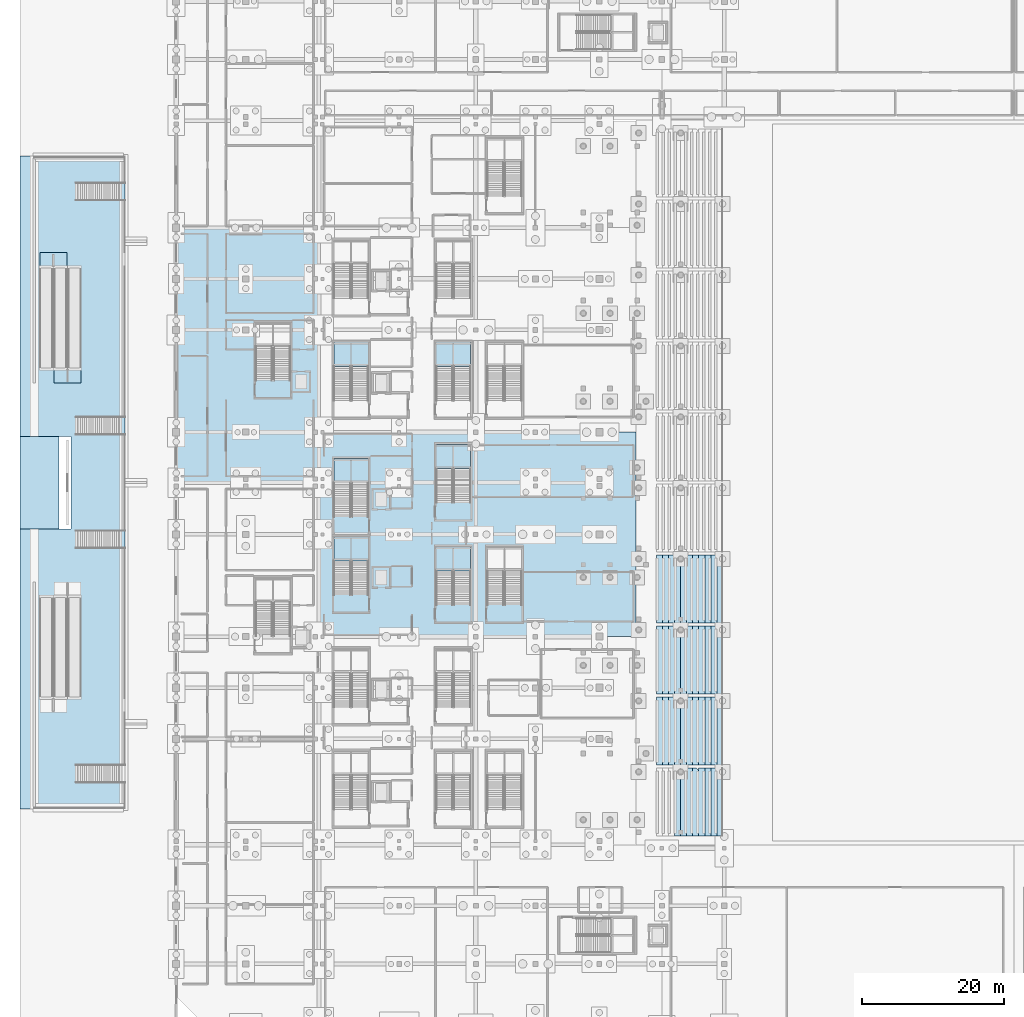
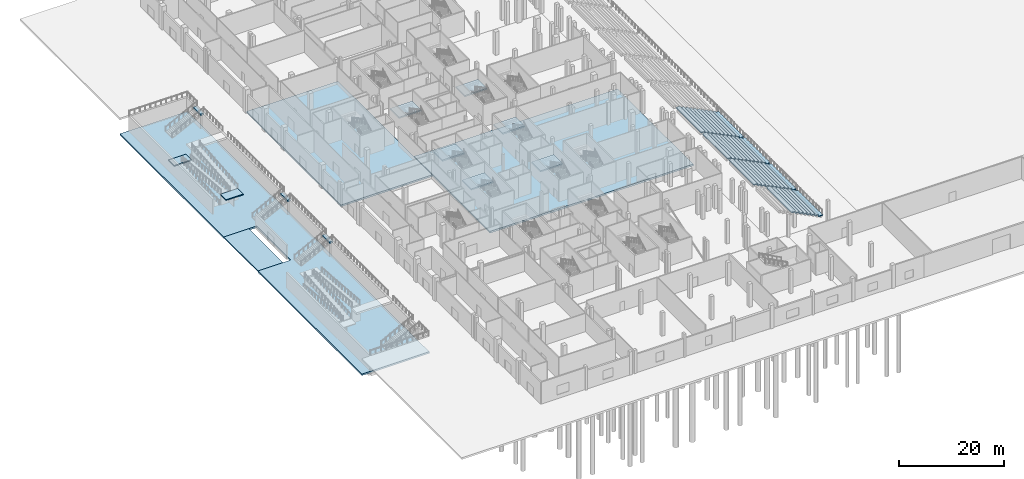
# One storey, part 23 of 89: 56 slabs, 8 elements without a shape of their own.
"""IFC4 building model written with IfcOpenShell, lengths in metres."""

from ifc_helpers import new_model, si_unit, direction, frame, origin, place, context, subcontext, project, spatial, polyline, outline, extrude, material, layer, layer_set, type_object, element, aggregate, save


model = new_model("IFC4")

# Units and contexts
model_context = context("Model", 3, precision=1e-05, world=origin(), true_north=direction((0.0, 1.0)))
body_context = subcontext(model_context, "Body", "Model", "MODEL_VIEW")
ifc_project = project(units=[si_unit("LENGTHUNIT", "METRE"), si_unit("AREAUNIT", "SQUARE_METRE"), si_unit("VOLUMEUNIT", "CUBIC_METRE"), si_unit("PLANEANGLEUNIT", "RADIAN"), si_unit("MASSUNIT", "GRAM", prefix="KILO")], contexts=[model_context])

# Site, building, storey
site_placement = place(None, origin())
site = spatial("IfcSite", under=ifc_project, at=site_placement, CompositionType="ELEMENT")
building_placement = place(site_placement, origin())
building = spatial("IfcBuilding", under=site, at=building_placement, Name="Koshinbarg Plaza Stadium", CompositionType="ELEMENT")
storey_placement = place(building_placement, origin())
storey = spatial("IfcBuildingStorey", under=building, at=storey_placement, Name="L00", CompositionType="ELEMENT", Elevation=0.0)

# Slabs
ifc_material_1 = material(Name="Concrete C35/45", Category="concrete")
ifc_layer_1 = layer(ifc_material_1, 0.39990234375)
ifc_layer_set_1 = layer_set([ifc_layer_1], Name="Concrete C35/45")
slab_type_1 = type_object("IfcSlabType", Name="SL-BASE-400", PredefinedType="BASESLAB", material=ifc_layer_set_1)
slab_1_placement = place(storey_placement, frame((0.0, 0.0, -0.39990234375)))
element("IfcSlab", 1, at=slab_1_placement, inside=storey, type_object=slab_type_1, Name="L00 V5 structural slab 19", PredefinedType="BASESLAB", context=body_context, shape_type="SweptSolid", body=[
    extrude(outline(polyline([(4.0, 76.044921875), (24.054931640625, 76.044921875), (24.054931640625, 111.89990234375), (4.0, 111.89990234375), (4.0, 76.044921875)])), origin(), (0.0, 0.0, 1.0), 0.39990234375),
])
slab_2_placement = place(storey_placement, frame((0.0, 0.0, -0.530029296875)))
element("IfcSlab", 2, at=slab_2_placement, inside=storey, type_object=slab_type_1, Name="ST-FC-02 arrival threshold slab", PredefinedType="BASESLAB", context=body_context, shape_type="SweptSolid", body=[
    extrude(outline(polyline([(-3.949951171875, 66.64990234375), (-3.219970703125, 66.64990234375), (-3.219970703125, 69.35009765625), (-3.949951171875, 69.35009765625), (-3.949951171875, 66.64990234375)])), origin(), (0.0, 0.0, 1.0), 0.400146484375),
])
slab_3_placement = place(storey_placement, frame((0.0, 0.0, -0.530029296875)))
element("IfcSlab", 3, at=slab_3_placement, inside=storey, type_object=slab_type_1, Name="ST-FC-03 arrival threshold slab", PredefinedType="BASESLAB", context=body_context, shape_type="SweptSolid", body=[
    extrude(outline(polyline([(-3.949951171875, 82.64990234375), (-3.219970703125, 82.64990234375), (-3.219970703125, 85.35009765625), (-3.949951171875, 85.35009765625), (-3.949951171875, 82.64990234375)])), origin(), (0.0, 0.0, 1.0), 0.400146484375),
])
slab_4_placement = place(storey_placement, frame((0.0, 0.0, -0.530029296875)))
element("IfcSlab", 4, at=slab_4_placement, inside=storey, type_object=slab_type_1, Name="ST-FC-04 arrival threshold slab", PredefinedType="BASESLAB", context=body_context, shape_type="SweptSolid", body=[
    extrude(outline(polyline([(-3.949951171875, 115.64990234375), (-3.219970703125, 115.64990234375), (-3.219970703125, 118.35009765625), (-3.949951171875, 118.35009765625), (-3.949951171875, 115.64990234375)])), origin(), (0.0, 0.0, 1.0), 0.400146484375),
])
ifc_layer_2 = layer(ifc_material_1, 0.449951171875)
ifc_layer_set_2 = layer_set([ifc_layer_2], Name="Concrete C35/45")
slab_type_2 = type_object("IfcSlabType", Name="SL-BASE-450", PredefinedType="BASESLAB", material=ifc_layer_set_2)
slab_5_placement = place(storey_placement, frame((0.0, 0.0, -0.39990234375)))
element("IfcSlab", 5, at=slab_5_placement, inside=storey, type_object=slab_type_2, Name="L00 V1 structural slab 2", PredefinedType="BASESLAB", context=body_context, shape_type="SweptSolid", body=[
    extrude(outline(polyline([(24.14501953125, 54.300048828125), (68.800048828125, 54.300048828125), (68.800048828125, 83.10009765625), (24.14501953125, 83.10009765625), (24.14501953125, 54.300048828125)])), origin(), (0.0, 0.0, 1.0), 0.39990234375),
])
ifc_layer_3 = layer(ifc_material_1, 0.3798828125)
ifc_layer_set_3 = layer_set([ifc_layer_3], Name="Concrete C35/45")
slab_type_3 = type_object("IfcSlabType", Name="SL-EXTBASE-380", PredefinedType="BASESLAB", material=ifc_layer_set_3)
slab_6_placement = place(storey_placement, frame((0.0, 0.0, -3.97998046875)))
element("IfcSlab", 6, at=slab_6_placement, inside=storey, type_object=slab_type_3, Name="Sunken metro forecourt structural base slab", PredefinedType="BASESLAB", context=body_context, shape_type="SweptSolid", body=[
    extrude(outline(polyline([(-18.0, 30.0), (-3.199951171875, 30.0), (-3.199951171875, 122.0), (-18.0, 122.0), (-18.0, 82.5), (-10.800048828125, 82.5), (-10.800048828125, 69.5), (-18.0, 69.5), (-18.0, 30.0)])), origin(), (0.0, 0.0, 1.0), 0.3798828125),
])
ifc_material_2 = material(Name="Basalt stone plaza paving", Category="masonry")
ifc_layer_4 = layer(ifc_material_2, 0.25)
ifc_layer_set_4 = layer_set([ifc_layer_4], Name="Basalt stone plaza paving")
slab_type_4 = type_object("IfcSlabType", Name="SL-PAVING-250", PredefinedType="FLOOR", material=ifc_layer_set_4)
slab_7_placement = place(storey_placement, frame((0.0, 0.0, -3.85009765625)))
element("IfcSlab", 7, at=slab_7_placement, inside=storey, type_object=slab_type_4, Name="Metro concourse threshold plaza slab", PredefinedType="FLOOR", context=body_context, shape_type="SweptSolid", body=[
    extrude(outline(polyline([(-18.0, 69.5), (-12.52001953125, 69.5), (-12.52001953125, 82.5), (-18.0, 82.5), (-18.0, 69.5)])), origin(), (0.0, 0.0, 1.0), 0.25),
])

# Ramp, slab
ramp_type = type_object("IfcRampType", Name="RMP-FORECOURT", PredefinedType="STRAIGHT_RUN_RAMP", material=ifc_material_1)
ramp_1_placement = place(storey_placement, origin())
ramp_1 = element("IfcRamp", 8, at=ramp_1_placement, inside=storey, type_object=ramp_type, Name="Metro forecourt accessible pedestrian ramp RMP-FC-N1", PredefinedType="STRAIGHT_RUN_RAMP")
ifc_layer_5 = layer(ifc_material_1, 0.219970703125)
ifc_layer_set_5 = layer_set([ifc_layer_5], Name="Concrete C35/45")
slab_type_5 = type_object("IfcSlabType", Name="SL-RMPLAND-220", PredefinedType="LANDING", material=ifc_layer_set_5)
slab_8_placement = place(storey_placement, frame((0.0, 0.0, -2.6201171875)))
slab_8 = element("IfcSlab", 9, at=slab_8_placement, type_object=slab_type_5, Name="RMP-FC-N1 level landing", PredefinedType="LANDING", context=body_context, shape_type="SweptSolid", body=[
    extrude(outline(polyline([(-15.199951171875, 106.25), (-11.39990234375, 106.25), (-11.39990234375, 108.39990234375), (-15.199951171875, 108.39990234375), (-15.199951171875, 106.25)])), origin(), (0.0, 0.0, 1.0), 0.22021484375),
])
aggregate(ramp_1, [slab_8])

ramp_2_placement = place(storey_placement, origin())
ramp_2 = element("IfcRamp", 10, at=ramp_2_placement, inside=storey, type_object=ramp_type, Name="Metro forecourt accessible pedestrian ramp RMP-FC-N2", PredefinedType="STRAIGHT_RUN_RAMP")
slab_9_placement = place(storey_placement, frame((0.0, 0.0, -1.419921875)))
slab_9 = element("IfcSlab", 11, at=slab_9_placement, type_object=slab_type_5, Name="RMP-FC-N2 level landing", PredefinedType="LANDING", context=body_context, shape_type="SweptSolid", body=[
    extrude(outline(polyline([(-13.199951171875, 90.0), (-9.39990234375, 90.0), (-9.39990234375, 92.14990234375), (-13.199951171875, 92.14990234375), (-13.199951171875, 90.0)])), origin(), (0.0, 0.0, 1.0), 0.219970703125),
])
aggregate(ramp_2, [slab_9])

# Stair, slab
stair_type_1 = type_object("IfcStairType", Name="ST-CORE-54", PredefinedType="HALF_TURN_STAIR", material=ifc_material_1)
stair_1_placement = place(storey_placement, origin())
stair_1 = element("IfcStair", 12, at=stair_1_placement, inside=storey, type_object=stair_type_1, Name="L00 Protected Exit Stair C03", PredefinedType="HALF_TURN_STAIR")
ifc_layer_6 = layer(ifc_material_1, 0.320068359375)
ifc_layer_set_6 = layer_set([ifc_layer_6], Name="Concrete C35/45")
slab_type_6 = type_object("IfcSlabType", Name="SL-STLAND-280", PredefinedType="LANDING", material=ifc_layer_set_6)
slab_10_placement = place(storey_placement, frame((0.0, 0.0, 2.3798828125)))
slab_10 = element("IfcSlab", 13, at=slab_10_placement, type_object=slab_type_6, Name="L00 Protected Exit Stair C03 landing 013", PredefinedType="LANDING", context=body_context, shape_type="SweptSolid", body=[
    extrude(outline(polyline([(31.070068359375, 64.9599609375), (31.070068359375, 68.39990234375), (26.199951171875, 68.39990234375), (26.199951171875, 64.9599609375), (31.070068359375, 64.9599609375)])), origin(), (0.0, 0.0, 1.0), 0.320068359375),
])
aggregate(stair_1, [slab_10])

stair_2_placement = place(storey_placement, origin())
stair_2 = element("IfcStair", 14, at=stair_2_placement, inside=storey, type_object=stair_type_1, Name="L00 Protected Exit Stair C04", PredefinedType="HALF_TURN_STAIR")
slab_11_placement = place(storey_placement, frame((0.0, 0.0, 2.3798828125)))
slab_11 = element("IfcSlab", 15, at=slab_11_placement, type_object=slab_type_6, Name="L00 Protected Exit Stair C04 landing 019", PredefinedType="LANDING", context=body_context, shape_type="SweptSolid", body=[
    extrude(outline(polyline([(31.070068359375, 75.9599609375), (31.070068359375, 79.39990234375), (26.199951171875, 79.39990234375), (26.199951171875, 75.9599609375), (31.070068359375, 75.9599609375)])), origin(), (0.0, 0.0, 1.0), 0.320068359375),
])
aggregate(stair_2, [slab_11])

stair_3_placement = place(storey_placement, origin())
stair_3 = element("IfcStair", 16, at=stair_3_placement, inside=storey, type_object=stair_type_1, Name="L00 Protected Exit Stair C05", PredefinedType="HALF_TURN_STAIR")
slab_12_placement = place(storey_placement, frame((0.0, 0.0, 2.3798828125)))
slab_12 = element("IfcSlab", 17, at=slab_12_placement, type_object=slab_type_6, Name="L00 Protected Exit Stair C05 landing 025", PredefinedType="LANDING", context=body_context, shape_type="SweptSolid", body=[
    extrude(outline(polyline([(31.070068359375, 92.360107421875), (31.070068359375, 95.800048828125), (26.199951171875, 95.800048828125), (26.199951171875, 92.360107421875), (31.070068359375, 92.360107421875)])), origin(), (0.0, 0.0, 1.0), 0.320068359375),
])
aggregate(stair_3, [slab_12])

stair_type_2 = type_object("IfcStairType", Name="ST-VOM-54", PredefinedType="HALF_TURN_STAIR", material=ifc_material_1)
stair_4_placement = place(storey_placement, origin())
stair_4 = element("IfcStair", 18, at=stair_4_placement, inside=storey, type_object=stair_type_2, Name="L00 Upper Vomitory Stair VX03", PredefinedType="HALF_TURN_STAIR")
slab_13_placement = place(storey_placement, frame((0.0, 0.0, 2.3798828125)))
slab_13 = element("IfcSlab", 19, at=slab_13_placement, type_object=slab_type_6, Name="L00 Upper Vomitory Stair VX03 landing 081", PredefinedType="LANDING", context=body_context, shape_type="SweptSolid", body=[
    extrude(outline(polyline([(45.469970703125, 63.56005859375), (45.469970703125, 67.0), (40.60009765625, 67.0), (40.60009765625, 63.56005859375), (45.469970703125, 63.56005859375)])), origin(), (0.0, 0.0, 1.0), 0.320068359375),
])
aggregate(stair_4, [slab_13])

stair_5_placement = place(storey_placement, origin())
stair_5 = element("IfcStair", 20, at=stair_5_placement, inside=storey, type_object=stair_type_2, Name="L00 Upper Vomitory Stair VX04", PredefinedType="HALF_TURN_STAIR")
slab_14_placement = place(storey_placement, frame((0.0, 0.0, 2.3798828125)))
slab_14 = element("IfcSlab", 21, at=slab_14_placement, type_object=slab_type_6, Name="L00 Upper Vomitory Stair VX04 landing 084", PredefinedType="LANDING", context=body_context, shape_type="SweptSolid", body=[
    extrude(outline(polyline([(45.469970703125, 77.9599609375), (45.469970703125, 81.39990234375), (40.60009765625, 81.39990234375), (40.60009765625, 77.9599609375), (45.469970703125, 77.9599609375)])), origin(), (0.0, 0.0, 1.0), 0.320068359375),
])
aggregate(stair_5, [slab_14])

stair_6_placement = place(storey_placement, origin())
stair_6 = element("IfcStair", 22, at=stair_6_placement, inside=storey, type_object=stair_type_2, Name="L00 Upper Vomitory Stair VX05", PredefinedType="HALF_TURN_STAIR")
slab_15_placement = place(storey_placement, frame((0.0, 0.0, 2.3798828125)))
slab_15 = element("IfcSlab", 23, at=slab_15_placement, type_object=slab_type_6, Name="L00 Upper Vomitory Stair VX05 landing 087", PredefinedType="LANDING", context=body_context, shape_type="SweptSolid", body=[
    extrude(outline(polyline([(45.469970703125, 92.360107421875), (45.469970703125, 95.800048828125), (40.60009765625, 95.800048828125), (40.60009765625, 92.360107421875), (45.469970703125, 92.360107421875)])), origin(), (0.0, 0.0, 1.0), 0.320068359375),
])
aggregate(stair_6, [slab_15])

# Slabs
ifc_material_3 = material(Name="Precast concrete C40/50", Category="concrete")
ifc_layer_7 = layer(ifc_material_3, 0.219970703125)
ifc_layer_set_7 = layer_set([ifc_layer_7], Name="Precast concrete C40/50")
slab_type_7 = type_object("IfcSlabType", Name="SL-TIER-LT", PredefinedType="USERDEFINED", material=ifc_layer_set_7)
slab_16_placement = place(storey_placement, frame((0.0, 0.0, 0.800048828125)))
element("IfcSlab", 24, at=slab_16_placement, inside=storey, type_object=slab_type_7, Name="Stand lower seating tier LT-W01 row 1", ObjectType="SEATING TIER", PredefinedType="USERDEFINED", context=body_context, shape_type="SweptSolid", body=[
    extrude(outline(polyline([(80.14990234375, 26.199951171875), (81.0, 26.199951171875), (81.0, 35.449951171875), (80.64990234375, 35.800048828125), (80.14990234375, 35.800048828125), (80.14990234375, 26.199951171875)])), origin(), (0.0, 0.0, 1.0), 0.219970703125),
])
slab_17_placement = place(storey_placement, frame((0.0, 0.0, 1.219970703125)))
element("IfcSlab", 25, at=slab_17_placement, inside=storey, type_object=slab_type_7, Name="Stand lower seating tier LT-W01 row 2", ObjectType="SEATING TIER", PredefinedType="USERDEFINED", context=body_context, shape_type="SweptSolid", body=[
    extrude(outline(polyline([(79.300048828125, 26.199951171875), (80.14990234375, 26.199951171875), (80.14990234375, 35.800048828125), (79.300048828125, 35.800048828125), (79.300048828125, 26.199951171875)])), origin(), (0.0, 0.0, 1.0), 0.219970703125),
])
slab_18_placement = place(storey_placement, frame((0.0, 0.0, 1.639892578125)))
element("IfcSlab", 26, at=slab_18_placement, inside=storey, type_object=slab_type_7, Name="Stand lower seating tier LT-W01 row 3", ObjectType="SEATING TIER", PredefinedType="USERDEFINED", context=body_context, shape_type="SweptSolid", body=[
    extrude(outline(polyline([(78.449951171875, 26.199951171875), (79.300048828125, 26.199951171875), (79.300048828125, 35.800048828125), (78.449951171875, 35.800048828125), (78.449951171875, 26.199951171875)])), origin(), (0.0, 0.0, 1.0), 0.22021484375),
])
slab_19_placement = place(storey_placement, frame((0.0, 0.0, 2.06005859375)))
element("IfcSlab", 27, at=slab_19_placement, inside=storey, type_object=slab_type_7, Name="Stand lower seating tier LT-W01 row 4", ObjectType="SEATING TIER", PredefinedType="USERDEFINED", context=body_context, shape_type="SweptSolid", body=[
    extrude(outline(polyline([(77.60009765625, 26.199951171875), (78.449951171875, 26.199951171875), (78.449951171875, 35.800048828125), (77.60009765625, 35.800048828125), (77.60009765625, 26.199951171875)])), origin(), (0.0, 0.0, 1.0), 0.219970703125),
])
slab_20_placement = place(storey_placement, frame((0.0, 0.0, 2.47998046875)))
element("IfcSlab", 28, at=slab_20_placement, inside=storey, type_object=slab_type_7, Name="Stand lower seating tier LT-W01 row 5", ObjectType="SEATING TIER", PredefinedType="USERDEFINED", context=body_context, shape_type="SweptSolid", body=[
    extrude(outline(polyline([(76.75, 26.199951171875), (77.60009765625, 26.199951171875), (77.60009765625, 35.449951171875), (77.25, 35.800048828125), (76.75, 35.800048828125), (76.75, 26.199951171875)])), origin(), (0.0, 0.0, 1.0), 0.219970703125),
])
slab_21_placement = place(storey_placement, frame((0.0, 0.0, 2.89990234375)))
element("IfcSlab", 29, at=slab_21_placement, inside=storey, type_object=slab_type_7, Name="Stand lower seating tier LT-W01 row 6", ObjectType="SEATING TIER", PredefinedType="USERDEFINED", context=body_context, shape_type="SweptSolid", body=[
    extrude(outline(polyline([(75.89990234375, 26.199951171875), (76.75, 26.199951171875), (76.75, 35.800048828125), (75.89990234375, 35.800048828125), (75.89990234375, 26.199951171875)])), origin(), (0.0, 0.0, 1.0), 0.22021484375),
])
slab_22_placement = place(storey_placement, frame((0.0, 0.0, 3.320068359375)))
element("IfcSlab", 30, at=slab_22_placement, inside=storey, type_object=slab_type_7, Name="Stand lower seating tier LT-W01 row 7", ObjectType="SEATING TIER", PredefinedType="USERDEFINED", context=body_context, shape_type="SweptSolid", body=[
    extrude(outline(polyline([(75.050048828125, 26.199951171875), (75.89990234375, 26.199951171875), (75.89990234375, 35.800048828125), (75.050048828125, 35.800048828125), (75.050048828125, 26.199951171875)])), origin(), (0.0, 0.0, 1.0), 0.219970703125),
])
slab_23_placement = place(storey_placement, frame((0.0, 0.0, 3.739990234375)))
element("IfcSlab", 31, at=slab_23_placement, inside=storey, type_object=slab_type_7, Name="Stand lower seating tier LT-W01 row 8", ObjectType="SEATING TIER", PredefinedType="USERDEFINED", context=body_context, shape_type="SweptSolid", body=[
    extrude(outline(polyline([(74.199951171875, 26.199951171875), (75.050048828125, 26.199951171875), (75.050048828125, 35.800048828125), (74.199951171875, 35.800048828125), (74.199951171875, 26.199951171875)])), origin(), (0.0, 0.0, 1.0), 0.219970703125),
])
slab_24_placement = place(storey_placement, frame((0.0, 0.0, 0.800048828125)))
element("IfcSlab", 32, at=slab_24_placement, inside=storey, type_object=slab_type_7, Name="Stand lower seating tier LT-W02 row 1", ObjectType="SEATING TIER", PredefinedType="USERDEFINED", context=body_context, shape_type="SweptSolid", body=[
    extrude(outline(polyline([(80.14990234375, 36.199951171875), (81.0, 36.199951171875), (81.0, 45.800048828125), (80.14990234375, 45.800048828125), (80.14990234375, 36.199951171875)])), origin(), (0.0, 0.0, 1.0), 0.219970703125),
])
slab_25_placement = place(storey_placement, frame((0.0, 0.0, 1.219970703125)))
element("IfcSlab", 33, at=slab_25_placement, inside=storey, type_object=slab_type_7, Name="Stand lower seating tier LT-W02 row 2", ObjectType="SEATING TIER", PredefinedType="USERDEFINED", context=body_context, shape_type="SweptSolid", body=[
    extrude(outline(polyline([(79.300048828125, 36.199951171875), (80.14990234375, 36.199951171875), (80.14990234375, 45.800048828125), (79.300048828125, 45.800048828125), (79.300048828125, 36.199951171875)])), origin(), (0.0, 0.0, 1.0), 0.219970703125),
])
slab_26_placement = place(storey_placement, frame((0.0, 0.0, 1.639892578125)))
element("IfcSlab", 34, at=slab_26_placement, inside=storey, type_object=slab_type_7, Name="Stand lower seating tier LT-W02 row 3", ObjectType="SEATING TIER", PredefinedType="USERDEFINED", context=body_context, shape_type="SweptSolid", body=[
    extrude(outline(polyline([(78.449951171875, 36.199951171875), (79.300048828125, 36.199951171875), (79.300048828125, 45.800048828125), (78.449951171875, 45.800048828125), (78.449951171875, 36.199951171875)])), origin(), (0.0, 0.0, 1.0), 0.22021484375),
])
slab_27_placement = place(storey_placement, frame((0.0, 0.0, 2.06005859375)))
element("IfcSlab", 35, at=slab_27_placement, inside=storey, type_object=slab_type_7, Name="Stand lower seating tier LT-W02 row 4", ObjectType="SEATING TIER", PredefinedType="USERDEFINED", context=body_context, shape_type="SweptSolid", body=[
    extrude(outline(polyline([(77.60009765625, 36.199951171875), (78.449951171875, 36.199951171875), (78.449951171875, 45.800048828125), (77.60009765625, 45.800048828125), (77.60009765625, 36.199951171875)])), origin(), (0.0, 0.0, 1.0), 0.219970703125),
])
slab_28_placement = place(storey_placement, frame((0.0, 0.0, 2.47998046875)))
element("IfcSlab", 36, at=slab_28_placement, inside=storey, type_object=slab_type_7, Name="Stand lower seating tier LT-W02 row 5", ObjectType="SEATING TIER", PredefinedType="USERDEFINED", context=body_context, shape_type="SweptSolid", body=[
    extrude(outline(polyline([(76.75, 36.199951171875), (77.60009765625, 36.199951171875), (77.60009765625, 45.800048828125), (76.75, 45.800048828125), (76.75, 36.199951171875)])), origin(), (0.0, 0.0, 1.0), 0.219970703125),
])
slab_29_placement = place(storey_placement, frame((0.0, 0.0, 2.89990234375)))
element("IfcSlab", 37, at=slab_29_placement, inside=storey, type_object=slab_type_7, Name="Stand lower seating tier LT-W02 row 6", ObjectType="SEATING TIER", PredefinedType="USERDEFINED", context=body_context, shape_type="SweptSolid", body=[
    extrude(outline(polyline([(75.89990234375, 36.199951171875), (76.75, 36.199951171875), (76.75, 45.800048828125), (75.89990234375, 45.800048828125), (75.89990234375, 36.199951171875)])), origin(), (0.0, 0.0, 1.0), 0.22021484375),
])
slab_30_placement = place(storey_placement, frame((0.0, 0.0, 3.320068359375)))
element("IfcSlab", 38, at=slab_30_placement, inside=storey, type_object=slab_type_7, Name="Stand lower seating tier LT-W02 row 7", ObjectType="SEATING TIER", PredefinedType="USERDEFINED", context=body_context, shape_type="SweptSolid", body=[
    extrude(outline(polyline([(75.050048828125, 36.199951171875), (75.89990234375, 36.199951171875), (75.89990234375, 45.800048828125), (75.050048828125, 45.800048828125), (75.050048828125, 36.199951171875)])), origin(), (0.0, 0.0, 1.0), 0.219970703125),
])
slab_31_placement = place(storey_placement, frame((0.0, 0.0, 3.739990234375)))
element("IfcSlab", 39, at=slab_31_placement, inside=storey, type_object=slab_type_7, Name="Stand lower seating tier LT-W02 row 8", ObjectType="SEATING TIER", PredefinedType="USERDEFINED", context=body_context, shape_type="SweptSolid", body=[
    extrude(outline(polyline([(74.199951171875, 36.199951171875), (75.050048828125, 36.199951171875), (75.050048828125, 45.800048828125), (74.199951171875, 45.800048828125), (74.199951171875, 36.199951171875)])), origin(), (0.0, 0.0, 1.0), 0.219970703125),
])
slab_32_placement = place(storey_placement, frame((0.0, 0.0, 4.159912109375)))
element("IfcSlab", 40, at=slab_32_placement, inside=storey, type_object=slab_type_7, Name="Stand lower seating tier LT-W02 row 9", ObjectType="SEATING TIER", PredefinedType="USERDEFINED", context=body_context, shape_type="SweptSolid", body=[
    extrude(outline(polyline([(73.35009765625, 36.199951171875), (74.199951171875, 36.199951171875), (74.199951171875, 45.800048828125), (73.35009765625, 45.800048828125), (73.35009765625, 36.199951171875)])), origin(), (0.0, 0.0, 1.0), 0.219970703125),
])
slab_33_placement = place(storey_placement, frame((0.0, 0.0, 4.580078125)))
element("IfcSlab", 41, at=slab_33_placement, inside=storey, type_object=slab_type_7, Name="Stand lower seating tier LT-W02 row 10", ObjectType="SEATING TIER", PredefinedType="USERDEFINED", context=body_context, shape_type="SweptSolid", body=[
    extrude(outline(polyline([(72.5, 36.199951171875), (73.35009765625, 36.199951171875), (73.35009765625, 45.800048828125), (72.5, 45.800048828125), (72.5, 36.199951171875)])), origin(), (0.0, 0.0, 1.0), 0.219970703125),
])
slab_34_placement = place(storey_placement, frame((0.0, 0.0, 5.0)))
element("IfcSlab", 42, at=slab_34_placement, inside=storey, type_object=slab_type_7, Name="Stand lower seating tier LT-W02 row 11", ObjectType="SEATING TIER", PredefinedType="USERDEFINED", context=body_context, shape_type="SweptSolid", body=[
    extrude(outline(polyline([(71.64990234375, 36.199951171875), (72.5, 36.199951171875), (72.5, 45.800048828125), (71.64990234375, 45.800048828125), (71.64990234375, 36.199951171875)])), origin(), (0.0, 0.0, 1.0), 0.219970703125),
])
slab_35_placement = place(storey_placement, frame((0.0, 0.0, 0.800048828125)))
element("IfcSlab", 43, at=slab_35_placement, inside=storey, type_object=slab_type_7, Name="Stand lower seating tier LT-W03 row 1", ObjectType="SEATING TIER", PredefinedType="USERDEFINED", context=body_context, shape_type="SweptSolid", body=[
    extrude(outline(polyline([(80.14990234375, 46.199951171875), (81.0, 46.199951171875), (81.0, 55.800048828125), (80.14990234375, 55.800048828125), (80.14990234375, 46.199951171875)])), origin(), (0.0, 0.0, 1.0), 0.219970703125),
])
slab_36_placement = place(storey_placement, frame((0.0, 0.0, 1.219970703125)))
element("IfcSlab", 44, at=slab_36_placement, inside=storey, type_object=slab_type_7, Name="Stand lower seating tier LT-W03 row 2", ObjectType="SEATING TIER", PredefinedType="USERDEFINED", context=body_context, shape_type="SweptSolid", body=[
    extrude(outline(polyline([(79.300048828125, 46.199951171875), (80.14990234375, 46.199951171875), (80.14990234375, 55.800048828125), (79.300048828125, 55.800048828125), (79.300048828125, 46.199951171875)])), origin(), (0.0, 0.0, 1.0), 0.219970703125),
])
slab_37_placement = place(storey_placement, frame((0.0, 0.0, 1.639892578125)))
element("IfcSlab", 45, at=slab_37_placement, inside=storey, type_object=slab_type_7, Name="Stand lower seating tier LT-W03 row 3", ObjectType="SEATING TIER", PredefinedType="USERDEFINED", context=body_context, shape_type="SweptSolid", body=[
    extrude(outline(polyline([(78.449951171875, 46.199951171875), (79.300048828125, 46.199951171875), (79.300048828125, 55.800048828125), (78.449951171875, 55.800048828125), (78.449951171875, 46.199951171875)])), origin(), (0.0, 0.0, 1.0), 0.22021484375),
])
slab_38_placement = place(storey_placement, frame((0.0, 0.0, 2.06005859375)))
element("IfcSlab", 46, at=slab_38_placement, inside=storey, type_object=slab_type_7, Name="Stand lower seating tier LT-W03 row 4", ObjectType="SEATING TIER", PredefinedType="USERDEFINED", context=body_context, shape_type="SweptSolid", body=[
    extrude(outline(polyline([(77.60009765625, 46.199951171875), (78.449951171875, 46.199951171875), (78.449951171875, 55.800048828125), (77.60009765625, 55.800048828125), (77.60009765625, 46.199951171875)])), origin(), (0.0, 0.0, 1.0), 0.219970703125),
])
slab_39_placement = place(storey_placement, frame((0.0, 0.0, 2.47998046875)))
element("IfcSlab", 47, at=slab_39_placement, inside=storey, type_object=slab_type_7, Name="Stand lower seating tier LT-W03 row 5", ObjectType="SEATING TIER", PredefinedType="USERDEFINED", context=body_context, shape_type="SweptSolid", body=[
    extrude(outline(polyline([(76.75, 46.199951171875), (77.60009765625, 46.199951171875), (77.60009765625, 55.800048828125), (76.75, 55.800048828125), (76.75, 46.199951171875)])), origin(), (0.0, 0.0, 1.0), 0.219970703125),
])
slab_40_placement = place(storey_placement, frame((0.0, 0.0, 2.89990234375)))
element("IfcSlab", 48, at=slab_40_placement, inside=storey, type_object=slab_type_7, Name="Stand lower seating tier LT-W03 row 6", ObjectType="SEATING TIER", PredefinedType="USERDEFINED", context=body_context, shape_type="SweptSolid", body=[
    extrude(outline(polyline([(75.89990234375, 46.199951171875), (76.75, 46.199951171875), (76.75, 55.800048828125), (75.89990234375, 55.800048828125), (75.89990234375, 46.199951171875)])), origin(), (0.0, 0.0, 1.0), 0.22021484375),
])
slab_41_placement = place(storey_placement, frame((0.0, 0.0, 3.320068359375)))
element("IfcSlab", 49, at=slab_41_placement, inside=storey, type_object=slab_type_7, Name="Stand lower seating tier LT-W03 row 7", ObjectType="SEATING TIER", PredefinedType="USERDEFINED", context=body_context, shape_type="SweptSolid", body=[
    extrude(outline(polyline([(75.050048828125, 46.199951171875), (75.89990234375, 46.199951171875), (75.89990234375, 55.800048828125), (75.050048828125, 55.800048828125), (75.050048828125, 46.199951171875)])), origin(), (0.0, 0.0, 1.0), 0.219970703125),
])
slab_42_placement = place(storey_placement, frame((0.0, 0.0, 3.739990234375)))
element("IfcSlab", 50, at=slab_42_placement, inside=storey, type_object=slab_type_7, Name="Stand lower seating tier LT-W03 row 8", ObjectType="SEATING TIER", PredefinedType="USERDEFINED", context=body_context, shape_type="SweptSolid", body=[
    extrude(outline(polyline([(74.199951171875, 46.199951171875), (75.050048828125, 46.199951171875), (75.050048828125, 55.800048828125), (74.199951171875, 55.800048828125), (74.199951171875, 46.199951171875)])), origin(), (0.0, 0.0, 1.0), 0.219970703125),
])
slab_43_placement = place(storey_placement, frame((0.0, 0.0, 4.159912109375)))
element("IfcSlab", 51, at=slab_43_placement, inside=storey, type_object=slab_type_7, Name="Stand lower seating tier LT-W03 row 9", ObjectType="SEATING TIER", PredefinedType="USERDEFINED", context=body_context, shape_type="SweptSolid", body=[
    extrude(outline(polyline([(73.35009765625, 46.199951171875), (74.199951171875, 46.199951171875), (74.199951171875, 55.800048828125), (73.35009765625, 55.800048828125), (73.35009765625, 46.199951171875)])), origin(), (0.0, 0.0, 1.0), 0.219970703125),
])
slab_44_placement = place(storey_placement, frame((0.0, 0.0, 4.580078125)))
element("IfcSlab", 52, at=slab_44_placement, inside=storey, type_object=slab_type_7, Name="Stand lower seating tier LT-W03 row 10", ObjectType="SEATING TIER", PredefinedType="USERDEFINED", context=body_context, shape_type="SweptSolid", body=[
    extrude(outline(polyline([(72.5, 46.199951171875), (73.35009765625, 46.199951171875), (73.35009765625, 55.800048828125), (72.5, 55.800048828125), (72.5, 46.199951171875)])), origin(), (0.0, 0.0, 1.0), 0.219970703125),
])
slab_45_placement = place(storey_placement, frame((0.0, 0.0, 5.0)))
element("IfcSlab", 53, at=slab_45_placement, inside=storey, type_object=slab_type_7, Name="Stand lower seating tier LT-W03 row 11", ObjectType="SEATING TIER", PredefinedType="USERDEFINED", context=body_context, shape_type="SweptSolid", body=[
    extrude(outline(polyline([(71.64990234375, 46.199951171875), (72.5, 46.199951171875), (72.5, 55.800048828125), (71.64990234375, 55.800048828125), (71.64990234375, 46.199951171875)])), origin(), (0.0, 0.0, 1.0), 0.219970703125),
])
slab_46_placement = place(storey_placement, frame((0.0, 0.0, 0.800048828125)))
element("IfcSlab", 54, at=slab_46_placement, inside=storey, type_object=slab_type_7, Name="Stand lower seating tier LT-W04 row 1", ObjectType="SEATING TIER", PredefinedType="USERDEFINED", context=body_context, shape_type="SweptSolid", body=[
    extrude(outline(polyline([(80.14990234375, 56.199951171875), (81.0, 56.199951171875), (81.0, 65.800048828125), (80.14990234375, 65.800048828125), (80.14990234375, 56.199951171875)])), origin(), (0.0, 0.0, 1.0), 0.219970703125),
])
slab_47_placement = place(storey_placement, frame((0.0, 0.0, 1.219970703125)))
element("IfcSlab", 55, at=slab_47_placement, inside=storey, type_object=slab_type_7, Name="Stand lower seating tier LT-W04 row 2", ObjectType="SEATING TIER", PredefinedType="USERDEFINED", context=body_context, shape_type="SweptSolid", body=[
    extrude(outline(polyline([(79.300048828125, 56.199951171875), (80.14990234375, 56.199951171875), (80.14990234375, 65.800048828125), (79.300048828125, 65.800048828125), (79.300048828125, 56.199951171875)])), origin(), (0.0, 0.0, 1.0), 0.219970703125),
])
slab_48_placement = place(storey_placement, frame((0.0, 0.0, 1.639892578125)))
element("IfcSlab", 56, at=slab_48_placement, inside=storey, type_object=slab_type_7, Name="Stand lower seating tier LT-W04 row 3", ObjectType="SEATING TIER", PredefinedType="USERDEFINED", context=body_context, shape_type="SweptSolid", body=[
    extrude(outline(polyline([(78.449951171875, 56.199951171875), (79.300048828125, 56.199951171875), (79.300048828125, 65.800048828125), (78.449951171875, 65.800048828125), (78.449951171875, 56.199951171875)])), origin(), (0.0, 0.0, 1.0), 0.22021484375),
])
slab_49_placement = place(storey_placement, frame((0.0, 0.0, 2.06005859375)))
element("IfcSlab", 57, at=slab_49_placement, inside=storey, type_object=slab_type_7, Name="Stand lower seating tier LT-W04 row 4", ObjectType="SEATING TIER", PredefinedType="USERDEFINED", context=body_context, shape_type="SweptSolid", body=[
    extrude(outline(polyline([(77.60009765625, 56.199951171875), (78.449951171875, 56.199951171875), (78.449951171875, 65.800048828125), (77.60009765625, 65.800048828125), (77.60009765625, 56.199951171875)])), origin(), (0.0, 0.0, 1.0), 0.219970703125),
])
slab_50_placement = place(storey_placement, frame((0.0, 0.0, 2.47998046875)))
element("IfcSlab", 58, at=slab_50_placement, inside=storey, type_object=slab_type_7, Name="Stand lower seating tier LT-W04 row 5", ObjectType="SEATING TIER", PredefinedType="USERDEFINED", context=body_context, shape_type="SweptSolid", body=[
    extrude(outline(polyline([(76.75, 56.199951171875), (77.60009765625, 56.199951171875), (77.60009765625, 65.800048828125), (76.75, 65.800048828125), (76.75, 56.199951171875)])), origin(), (0.0, 0.0, 1.0), 0.219970703125),
])
slab_51_placement = place(storey_placement, frame((0.0, 0.0, 2.89990234375)))
element("IfcSlab", 59, at=slab_51_placement, inside=storey, type_object=slab_type_7, Name="Stand lower seating tier LT-W04 row 6", ObjectType="SEATING TIER", PredefinedType="USERDEFINED", context=body_context, shape_type="SweptSolid", body=[
    extrude(outline(polyline([(75.89990234375, 56.199951171875), (76.75, 56.199951171875), (76.75, 65.800048828125), (75.89990234375, 65.800048828125), (75.89990234375, 56.199951171875)])), origin(), (0.0, 0.0, 1.0), 0.22021484375),
])
slab_52_placement = place(storey_placement, frame((0.0, 0.0, 3.320068359375)))
element("IfcSlab", 60, at=slab_52_placement, inside=storey, type_object=slab_type_7, Name="Stand lower seating tier LT-W04 row 7", ObjectType="SEATING TIER", PredefinedType="USERDEFINED", context=body_context, shape_type="SweptSolid", body=[
    extrude(outline(polyline([(75.050048828125, 56.199951171875), (75.89990234375, 56.199951171875), (75.89990234375, 65.800048828125), (75.050048828125, 65.800048828125), (75.050048828125, 56.199951171875)])), origin(), (0.0, 0.0, 1.0), 0.219970703125),
])
slab_53_placement = place(storey_placement, frame((0.0, 0.0, 3.739990234375)))
element("IfcSlab", 61, at=slab_53_placement, inside=storey, type_object=slab_type_7, Name="Stand lower seating tier LT-W04 row 8", ObjectType="SEATING TIER", PredefinedType="USERDEFINED", context=body_context, shape_type="SweptSolid", body=[
    extrude(outline(polyline([(74.199951171875, 56.199951171875), (75.050048828125, 56.199951171875), (75.050048828125, 65.800048828125), (74.199951171875, 65.800048828125), (74.199951171875, 56.199951171875)])), origin(), (0.0, 0.0, 1.0), 0.219970703125),
])
slab_54_placement = place(storey_placement, frame((0.0, 0.0, 4.159912109375)))
element("IfcSlab", 62, at=slab_54_placement, inside=storey, type_object=slab_type_7, Name="Stand lower seating tier LT-W04 row 9", ObjectType="SEATING TIER", PredefinedType="USERDEFINED", context=body_context, shape_type="SweptSolid", body=[
    extrude(outline(polyline([(73.35009765625, 56.199951171875), (74.199951171875, 56.199951171875), (74.199951171875, 65.800048828125), (73.35009765625, 65.800048828125), (73.35009765625, 56.199951171875)])), origin(), (0.0, 0.0, 1.0), 0.219970703125),
])
slab_55_placement = place(storey_placement, frame((0.0, 0.0, 4.580078125)))
element("IfcSlab", 63, at=slab_55_placement, inside=storey, type_object=slab_type_7, Name="Stand lower seating tier LT-W04 row 10", ObjectType="SEATING TIER", PredefinedType="USERDEFINED", context=body_context, shape_type="SweptSolid", body=[
    extrude(outline(polyline([(72.5, 56.199951171875), (73.35009765625, 56.199951171875), (73.35009765625, 65.800048828125), (72.5, 65.800048828125), (72.5, 56.199951171875)])), origin(), (0.0, 0.0, 1.0), 0.219970703125),
])
slab_56_placement = place(storey_placement, frame((0.0, 0.0, 5.0)))
element("IfcSlab", 64, at=slab_56_placement, inside=storey, type_object=slab_type_7, Name="Stand lower seating tier LT-W04 row 11", ObjectType="SEATING TIER", PredefinedType="USERDEFINED", context=body_context, shape_type="SweptSolid", body=[
    extrude(outline(polyline([(71.64990234375, 56.199951171875), (72.5, 56.199951171875), (72.5, 65.800048828125), (71.64990234375, 65.800048828125), (71.64990234375, 56.199951171875)])), origin(), (0.0, 0.0, 1.0), 0.219970703125),
])

save(model, "model.ifc")
